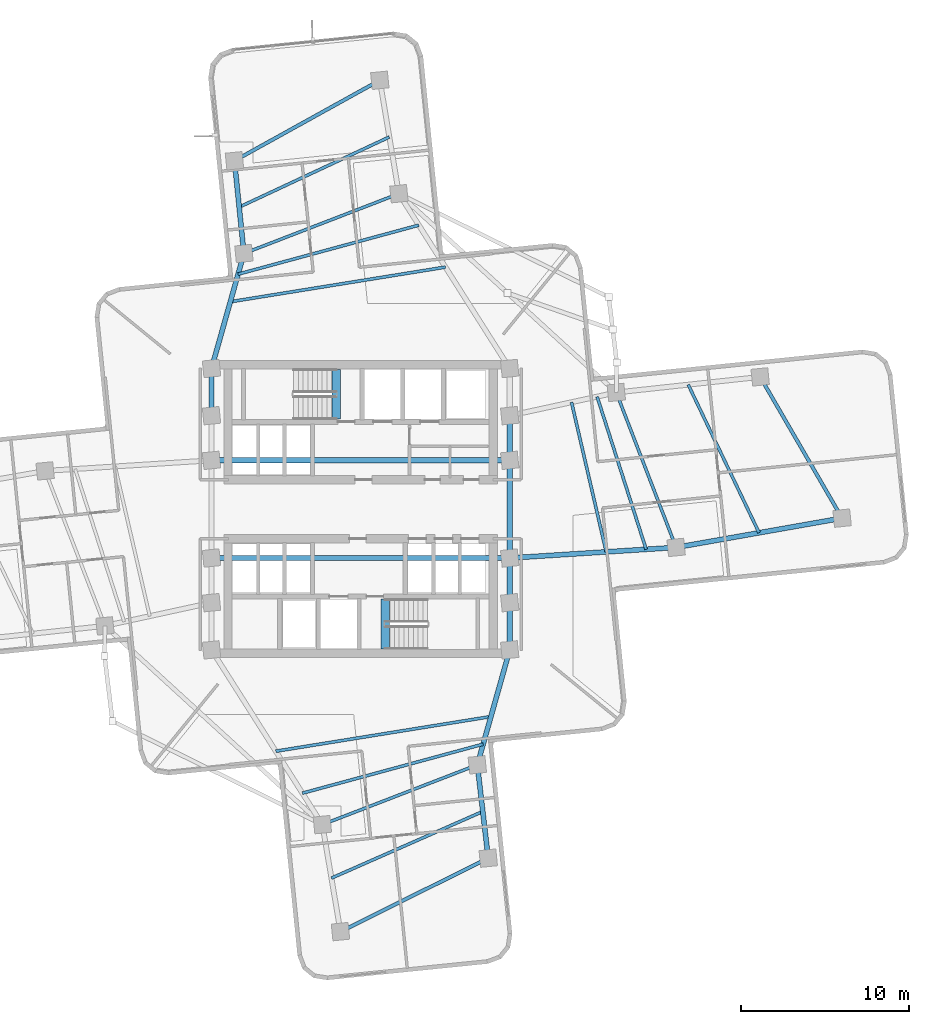
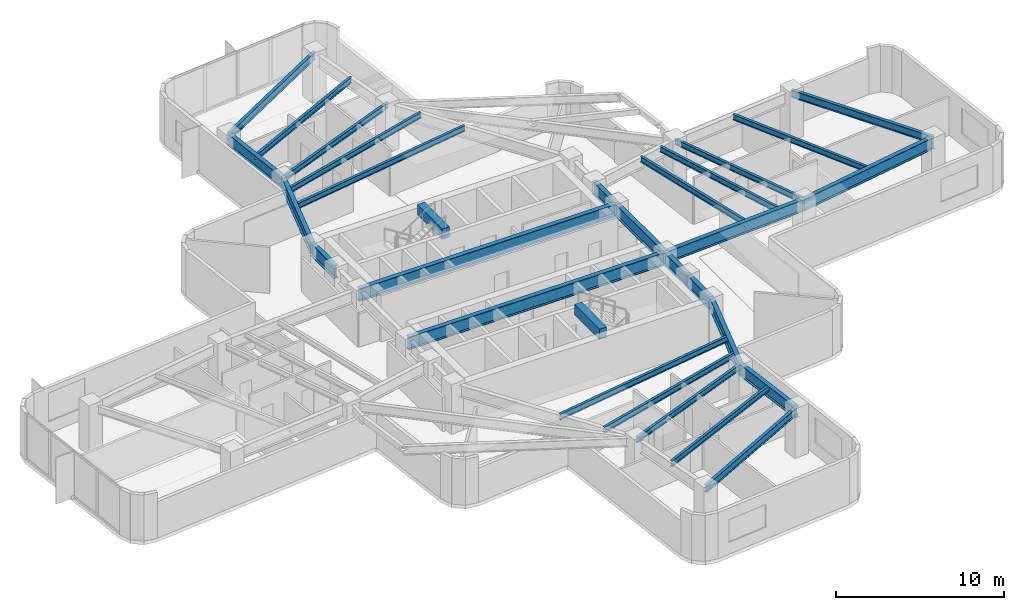
# One storey, part 3 of 12: 30 beams.
"""IFC4 building model written with IfcOpenShell, lengths in metres."""

from ifc_helpers import new_model, si_unit, direction, frame, origin, origin_2d, place, context, subcontext, project, spatial, rectangle, i_section, extrude, material, material_profile, profile_set, type_object, element, save


model = new_model("IFC4")

# Units and contexts
model_context = context("Model", 3, precision=1e-05, world=origin(), true_north=direction((0.0, 1.0)))
body_context = subcontext(model_context, "Body", "Model", "MODEL_VIEW")
ifc_project = project(units=[si_unit("LENGTHUNIT", "METRE"), si_unit("AREAUNIT", "SQUARE_METRE"), si_unit("VOLUMEUNIT", "CUBIC_METRE"), si_unit("PLANEANGLEUNIT", "RADIAN"), si_unit("MASSUNIT", "GRAM", prefix="KILO")], contexts=[model_context])

# Site, building, storey
site_placement = place(None, origin())
site = spatial("IfcSite", under=ifc_project, at=site_placement, CompositionType="ELEMENT")
building_placement = place(site_placement, origin())
building = spatial("IfcBuilding", under=site, at=building_placement, Name="Solmarez Civic Tower", CompositionType="ELEMENT")
storey_placement = place(building_placement, frame((0.0, 0.0, 74.8798828125)))
storey = spatial("IfcBuildingStorey", under=building, at=storey_placement, Name="L19", CompositionType="ELEMENT", Elevation=74.8798828125)

# Beams
ifc_material_1 = material(Name="Steel S355", Category="steel")
ifc_material_profile_1 = material_profile(ifc_material_1, i_section(OverallWidth=0.178955078125, OverallDepth=0.409912109375, WebThickness=0.0087890625, FlangeThickness=0.014404296875, at=origin_2d()), Name="W16X45")
ifc_profile_set_1 = profile_set([ifc_material_profile_1], Name="Steel S355")
beam_type_1 = type_object("IfcBeamType", Name="BM-JS-W16X45", PredefinedType="JOIST", material=ifc_profile_set_1)
beam_1_placement = place(storey_placement, frame((18.72412109375, -2.27099609375, 3.135009765625), z_axis=(-0.359984466214, 0.932958297077, 0.0), x_axis=(-0.932958297077, -0.359984466214, 0.0)))
element("IfcBeam", 1, at=beam_1_placement, inside=storey, type_object=beam_type_1, Name="L19 Secondary Floor Joist BM-L19-EA-T1", PredefinedType="JOIST", context=body_context, shape_type="SweptSolid", body=[
    extrude(i_section(OverallWidth=0.178955078125, OverallDepth=0.409912109375, WebThickness=0.0087890625, FlangeThickness=0.014404296875, at=origin_2d()), origin(), (0.0, 0.0, 1.0), 9.85888671875),
])
beam_2_placement = place(storey_placement, frame((23.64990234375, -1.402099609375, 3.135009765625), z_axis=(-0.431491843414, 0.902116837814, 0.0), x_axis=(-0.902116837814, -0.431491843414, 0.0)))
element("IfcBeam", 2, at=beam_2_placement, inside=storey, type_object=beam_type_1, Name="L19 Secondary Floor Joist JS-L19-EA-M2", PredefinedType="JOIST", context=body_context, shape_type="SweptSolid", body=[
    extrude(i_section(OverallWidth=0.178955078125, OverallDepth=0.409912109375, WebThickness=0.0087890625, FlangeThickness=0.014404296875, at=origin_2d()), origin(), (0.0, 0.0, 1.0), 9.744873046875),
])
beam_3_placement = place(storey_placement, frame((14.576904296875, -2.534912109375, 3.135009765625), z_axis=(-0.225762717226, 0.974182321494, 0.0), x_axis=(-0.974182321494, -0.225762717226, 0.0)))
element("IfcBeam", 3, at=beam_3_placement, inside=storey, type_object=beam_type_1, Name="L19 Secondary Floor Joist JS-L19-EA-M11", PredefinedType="JOIST", context=body_context, shape_type="SweptSolid", body=[
    extrude(i_section(OverallWidth=0.178955078125, OverallDepth=0.409912109375, WebThickness=0.0087890625, FlangeThickness=0.014404296875, at=origin_2d()), origin(), (0.0, 0.0, 1.0), 9.119384765625),
])
beam_4_placement = place(storey_placement, frame((16.947021484375, -2.384033203125, 3.135009765625), z_axis=(-0.305705295997, 0.952126184914, 0.0), x_axis=(-0.952126184914, -0.305705295997, 0.0)))
element("IfcBeam", 4, at=beam_4_placement, inside=storey, type_object=beam_type_1, Name="L19 Secondary Floor Joist JS-L19-EA-M12", PredefinedType="JOIST", context=body_context, shape_type="SweptSolid", body=[
    extrude(i_section(OverallWidth=0.178955078125, OverallDepth=0.409912109375, WebThickness=0.0087890625, FlangeThickness=0.014404296875, at=origin_2d()), origin(), (0.0, 0.0, 1.0), 9.518798828125),
])
beam_5_placement = place(storey_placement, frame((2.27099609375, 18.72412109375, 3.135009765625), z_axis=(-0.932958297077, -0.359984466214, 0.0), x_axis=(0.359984466214, -0.932958297077, 0.0)))
element("IfcBeam", 5, at=beam_5_placement, inside=storey, type_object=beam_type_1, Name="L19 Secondary Floor Joist BM-L19-NA-T1", PredefinedType="JOIST", context=body_context, shape_type="SweptSolid", body=[
    extrude(i_section(OverallWidth=0.178955078125, OverallDepth=0.409912109375, WebThickness=0.0087890625, FlangeThickness=0.014404296875, at=origin_2d()), origin(), (0.0, 0.0, 1.0), 9.85888671875),
])
beam_6_placement = place(storey_placement, frame((1.705078125, 22.090087890625, 3.135009765625), z_axis=(-0.906041066986, -0.423189774138, 0.0), x_axis=(0.423189774138, -0.906041066986, 0.0)))
element("IfcBeam", 6, at=beam_6_placement, inside=storey, type_object=beam_type_1, Name="L19 Secondary Floor Joist JS-L19-NA-M2", PredefinedType="JOIST", context=body_context, shape_type="SweptSolid", body=[
    extrude(i_section(OverallWidth=0.178955078125, OverallDepth=0.409912109375, WebThickness=0.0087890625, FlangeThickness=0.014404296875, at=origin_2d()), origin(), (0.0, 0.0, 1.0), 9.83740234375),
])
beam_7_placement = place(storey_placement, frame((5.033935546875, 14.366943359375, 3.135009765625), z_axis=(-0.987261309887, -0.159107215423, 0.0), x_axis=(0.159107215423, -0.987261309887, 0.0)))
element("IfcBeam", 7, at=beam_7_placement, inside=storey, type_object=beam_type_1, Name="L19 Secondary Floor Joist JS-L19-NA-M11", PredefinedType="JOIST", context=body_context, shape_type="SweptSolid", body=[
    extrude(i_section(OverallWidth=0.178955078125, OverallDepth=0.409912109375, WebThickness=0.0087890625, FlangeThickness=0.014404296875, at=origin_2d()), origin(), (0.0, 0.0, 1.0), 12.933837890625),
])
beam_8_placement = place(storey_placement, frame((3.455078125, 16.85693359375, 3.135009765625), z_axis=(-0.965126314795, -0.261784637614, 0.0), x_axis=(0.261784637614, -0.965126314795, 0.0)))
element("IfcBeam", 8, at=beam_8_placement, inside=storey, type_object=beam_type_1, Name="L19 Secondary Floor Joist JS-L19-NA-M12", PredefinedType="JOIST", context=body_context, shape_type="SweptSolid", body=[
    extrude(i_section(OverallWidth=0.178955078125, OverallDepth=0.409912109375, WebThickness=0.0087890625, FlangeThickness=0.014404296875, at=origin_2d()), origin(), (0.0, 0.0, 1.0), 11.11572265625),
])
beam_9_placement = place(storey_placement, frame((-2.27099609375, -18.72412109375, 3.135009765625), z_axis=(0.932958297077, 0.359984466214, 0.0), x_axis=(-0.359984466214, 0.932958297077, 0.0)))
element("IfcBeam", 9, at=beam_9_placement, inside=storey, type_object=beam_type_1, Name="L19 Secondary Floor Joist BM-L19-SA-T1", PredefinedType="JOIST", context=body_context, shape_type="SweptSolid", body=[
    extrude(i_section(OverallWidth=0.178955078125, OverallDepth=0.409912109375, WebThickness=0.0087890625, FlangeThickness=0.014404296875, at=origin_2d()), origin(), (0.0, 0.0, 1.0), 9.85888671875),
])
beam_10_placement = place(storey_placement, frame((-1.73291015625, -21.89892578125, 3.135009765625), z_axis=(0.915226616427, 0.402939499905, 0.0), x_axis=(-0.402939499905, 0.915226616427, 0.0)))
element("IfcBeam", 10, at=beam_10_placement, inside=storey, type_object=beam_type_1, Name="L19 Secondary Floor Joist JS-L19-SA-M2", PredefinedType="JOIST", context=body_context, shape_type="SweptSolid", body=[
    extrude(i_section(OverallWidth=0.178955078125, OverallDepth=0.409912109375, WebThickness=0.0087890625, FlangeThickness=0.014404296875, at=origin_2d()), origin(), (0.0, 0.0, 1.0), 9.81494140625),
])
beam_11_placement = place(storey_placement, frame((-5.033935546875, -14.366943359375, 3.135009765625), z_axis=(0.987261309887, 0.159107215423, 0.0), x_axis=(-0.159107215423, 0.987261309887, 0.0)))
element("IfcBeam", 11, at=beam_11_placement, inside=storey, type_object=beam_type_1, Name="L19 Secondary Floor Joist JS-L19-SA-M11", PredefinedType="JOIST", context=body_context, shape_type="SweptSolid", body=[
    extrude(i_section(OverallWidth=0.178955078125, OverallDepth=0.409912109375, WebThickness=0.0087890625, FlangeThickness=0.014404296875, at=origin_2d()), origin(), (0.0, 0.0, 1.0), 12.933837890625),
])
beam_12_placement = place(storey_placement, frame((-3.455078125, -16.85693359375, 3.135009765625), z_axis=(0.965126314795, 0.261784637614, 0.0), x_axis=(-0.261784637614, 0.965126314795, 0.0)))
element("IfcBeam", 12, at=beam_12_placement, inside=storey, type_object=beam_type_1, Name="L19 Secondary Floor Joist JS-L19-SA-M12", PredefinedType="JOIST", context=body_context, shape_type="SweptSolid", body=[
    extrude(i_section(OverallWidth=0.178955078125, OverallDepth=0.409912109375, WebThickness=0.0087890625, FlangeThickness=0.014404296875, at=origin_2d()), origin(), (0.0, 0.0, 1.0), 11.11572265625),
])
ifc_material_2 = material(Name="Concrete C50/60", Category="concrete")
ifc_material_profile_2 = material_profile(ifc_material_2, rectangle(XDim=0.5, YDim=0.75, at=origin_2d()), Name="RC500X750")
ifc_profile_set_2 = profile_set([ifc_material_profile_2], Name="Concrete C50/60")
beam_type_2 = type_object("IfcBeamType", Name="BM-PR-RC500X750", PredefinedType="BEAM", material=ifc_profile_set_2)
for number, where, z_axis, x_axis, name in (
    (13, (-1.449951171875, 5.340087890625, 3.233154296875), (0.0, 1.0, 0.0), (-1.0, 0.0, 0.0), "L19 North Stair Threshold Beam"),
    (14, (1.449951171875, -8.300048828125, 3.233154296875), (0.0, 1.0, 0.0), (-1.0, 0.0, 0.0), "L19 South Stair Threshold Beam"),
):
    element("IfcBeam", number, at=place(storey_placement, frame(where, z_axis=z_axis, x_axis=x_axis)), inside=storey, type_object=beam_type_2, Name=name, PredefinedType="BEAM", context=body_context, shape_type="SweptSolid", body=[
        extrude(rectangle(XDim=0.5, YDim=0.75, at=origin_2d()), origin(), (0.0, 0.0, 1.0), 2.9599609375),
    ])
ifc_material_profile_3 = material_profile(ifc_material_1, i_section(OverallWidth=0.2919921875, OverallDepth=0.845947265625, WebThickness=0.015380859375, FlangeThickness=0.0244140625, at=origin_2d()), Name="W33X141")
ifc_profile_set_3 = profile_set([ifc_material_profile_3], Name="Steel S355")
beam_type_3 = type_object("IfcBeamType", Name="BM-PR-W33X141", PredefinedType="BEAM", material=ifc_profile_set_3)
beam_13_placement = place(storey_placement, frame((8.85009765625, -2.89990234375, 2.917236328125), z_axis=(0.997977751208, 0.063564204508, 0.0), x_axis=(-0.063564204508, 0.997977751208, 0.0)))
element("IfcBeam", 15, at=beam_13_placement, inside=storey, type_object=beam_type_3, Name="L19 Primary Floor Beam BM-L19-EA-R1A", PredefinedType="BEAM", context=body_context, shape_type="SweptSolid", body=[
    extrude(i_section(OverallWidth=0.2919921875, OverallDepth=0.845947265625, WebThickness=0.015380859375, FlangeThickness=0.0244140625, at=origin_2d()), origin(), (0.0, 0.0, 1.0), 9.89404296875),
])
beam_14_placement = place(storey_placement, frame((18.72412109375, -2.27099609375, 2.917236328125), z_axis=(0.984792402105, 0.173735214497, 0.0), x_axis=(-0.173735214497, 0.984792402105, 0.0)))
element("IfcBeam", 16, at=beam_14_placement, inside=storey, type_object=beam_type_3, Name="L19 Primary Floor Beam BM-L19-EA-R2A", PredefinedType="BEAM", context=body_context, shape_type="SweptSolid", body=[
    extrude(i_section(OverallWidth=0.2919921875, OverallDepth=0.845947265625, WebThickness=0.015380859375, FlangeThickness=0.0244140625, at=origin_2d()), origin(), (0.0, 0.0, 1.0), 10.00390625),
])
beam_15_placement = place(storey_placement, frame((-8.85009765625, 8.35009765625, 2.917236328125), z_axis=(0.271213183726, 0.962519303169, 0.0), x_axis=(-0.962519303169, 0.271213183726, 0.0)))
element("IfcBeam", 17, at=beam_15_placement, inside=storey, type_object=beam_type_3, Name="L19 Primary Floor Beam BM-L19-NA-R1B", PredefinedType="BEAM", context=body_context, shape_type="SweptSolid", body=[
    extrude(i_section(OverallWidth=0.2919921875, OverallDepth=0.845947265625, WebThickness=0.015380859375, FlangeThickness=0.0244140625, at=origin_2d()), origin(), (0.0, 0.0, 1.0), 7.0908203125),
])
beam_16_placement = place(storey_placement, frame((-6.927001953125, 15.175048828125, 2.917236328125), z_axis=(-0.101583208843, 0.994827046115, 0.0), x_axis=(-0.994827046115, -0.101583208843, 0.0)))
element("IfcBeam", 18, at=beam_16_placement, inside=storey, type_object=beam_type_3, Name="L19 Primary Floor Beam BM-L19-NA-R2B", PredefinedType="BEAM", context=body_context, shape_type="SweptSolid", body=[
    extrude(i_section(OverallWidth=0.2919921875, OverallDepth=0.845947265625, WebThickness=0.015380859375, FlangeThickness=0.0244140625, at=origin_2d()), origin(), (0.0, 0.0, 1.0), 5.532470703125),
])
beam_17_placement = place(storey_placement, frame((8.85009765625, -8.35009765625, 2.917236328125), z_axis=(-0.271213183726, -0.962519303169, 0.0), x_axis=(0.962519303169, -0.271213183726, 0.0)))
element("IfcBeam", 19, at=beam_17_placement, inside=storey, type_object=beam_type_3, Name="L19 Primary Floor Beam BM-L19-SA-R1B", PredefinedType="BEAM", context=body_context, shape_type="SweptSolid", body=[
    extrude(i_section(OverallWidth=0.2919921875, OverallDepth=0.845947265625, WebThickness=0.015380859375, FlangeThickness=0.0244140625, at=origin_2d()), origin(), (0.0, 0.0, 1.0), 7.0908203125),
])
beam_18_placement = place(storey_placement, frame((6.927001953125, -15.175048828125, 2.917236328125), z_axis=(0.11601314993, -0.993247677593, 0.0), x_axis=(0.993247677593, 0.11601314993, 0.0)))
element("IfcBeam", 20, at=beam_18_placement, inside=storey, type_object=beam_type_3, Name="L19 Primary Floor Beam BM-L19-SA-R2B", PredefinedType="BEAM", context=body_context, shape_type="SweptSolid", body=[
    extrude(i_section(OverallWidth=0.2919921875, OverallDepth=0.845947265625, WebThickness=0.015380859375, FlangeThickness=0.0244140625, at=origin_2d()), origin(), (0.0, 0.0, 1.0), 5.57666015625),
])
ifc_material_profile_4 = material_profile(ifc_material_1, i_section(OverallWidth=0.306884765625, OverallDepth=0.927001953125, WebThickness=0.019287109375, FlangeThickness=0.031982421875, at=origin_2d()), Name="W36X194")
ifc_profile_set_4 = profile_set([ifc_material_profile_4], Name="Steel S355")
beam_type_4 = type_object("IfcBeamType", Name="BM-PR-W36X194", PredefinedType="BEAM", material=ifc_profile_set_4)
for number, where, z_axis, x_axis, name in (
    (21, (-8.85009765625, 5.550048828125, 2.877197265625), (0.0, 1.0, 0.0), (-1.0, 0.0, 0.0), "L19 Primary Floor Beam BM-L19-HC4-HC9"),
    (22, (8.85009765625, -8.35009765625, 2.877197265625), (0.0, 1.0, 0.0), (-1.0, 0.0, 0.0), "L19 Primary Floor Beam BM-L19-HC10-HC5"),
):
    element("IfcBeam", number, at=place(storey_placement, frame(where, z_axis=z_axis, x_axis=x_axis)), inside=storey, type_object=beam_type_4, Name=name, PredefinedType="BEAM", context=body_context, shape_type="SweptSolid", body=[
        extrude(i_section(OverallWidth=0.306884765625, OverallDepth=0.927001953125, WebThickness=0.019287109375, FlangeThickness=0.031982421875, at=origin_2d()), origin(), (0.0, 0.0, 1.0), 2.800048828125),
    ])
beam_19_placement = place(storey_placement, frame((8.85009765625, -5.550048828125, 2.877197265625), z_axis=(0.0, 1.0, 0.0), x_axis=(-1.0, 0.0, 0.0)))
element("IfcBeam", 23, at=beam_19_placement, inside=storey, type_object=beam_type_4, Name="L19 Primary Floor Beam BM-L19-HC5-HC6", PredefinedType="BEAM", context=body_context, shape_type="SweptSolid", body=[
    extrude(i_section(OverallWidth=0.306884765625, OverallDepth=0.927001953125, WebThickness=0.019287109375, FlangeThickness=0.031982421875, at=origin_2d()), origin(), (0.0, 0.0, 1.0), 2.650146484375),
])
beam_20_placement = place(storey_placement, frame((8.85009765625, -2.89990234375, 2.877197265625), z_axis=(0.0, 1.0, 0.0), x_axis=(-1.0, 0.0, 0.0)))
element("IfcBeam", 24, at=beam_20_placement, inside=storey, type_object=beam_type_4, Name="L19 Primary Floor Beam BM-L19-HC6-HC7", PredefinedType="BEAM", context=body_context, shape_type="SweptSolid", body=[
    extrude(i_section(OverallWidth=0.306884765625, OverallDepth=0.927001953125, WebThickness=0.019287109375, FlangeThickness=0.031982421875, at=origin_2d()), origin(), (0.0, 0.0, 1.0), 5.7998046875),
])
beam_21_placement = place(storey_placement, frame((8.85009765625, 2.89990234375, 2.877197265625), z_axis=(0.0, 1.0, 0.0), x_axis=(-1.0, 0.0, 0.0)))
element("IfcBeam", 25, at=beam_21_placement, inside=storey, type_object=beam_type_4, Name="L19 Primary Floor Beam BM-L19-HC7-HC8", PredefinedType="BEAM", context=body_context, shape_type="SweptSolid", body=[
    extrude(i_section(OverallWidth=0.306884765625, OverallDepth=0.927001953125, WebThickness=0.019287109375, FlangeThickness=0.031982421875, at=origin_2d()), origin(), (0.0, 0.0, 1.0), 2.650146484375),
])
for number, where, z_axis, x_axis, name in (
    (26, (-8.85009765625, -2.89990234375, 2.877197265625), (1.0, 0.0, 0.0), (0.0, 1.0, 0.0), "L19 Primary Floor Beam BM-L19-HC2-HC6"),
    (27, (-8.85009765625, 2.89990234375, 2.877197265625), (1.0, 0.0, 0.0), (0.0, 1.0, 0.0), "L19 Primary Floor Beam BM-L19-HC3-HC7"),
):
    element("IfcBeam", number, at=place(storey_placement, frame(where, z_axis=z_axis, x_axis=x_axis)), inside=storey, type_object=beam_type_4, Name=name, PredefinedType="BEAM", context=body_context, shape_type="SweptSolid", body=[
        extrude(i_section(OverallWidth=0.306884765625, OverallDepth=0.927001953125, WebThickness=0.019287109375, FlangeThickness=0.031982421875, at=origin_2d()), origin(), (0.0, 0.0, 1.0), 17.7001953125),
    ])
ifc_material_profile_5 = material_profile(ifc_material_1, i_section(OverallWidth=0.2109375, OverallDepth=0.5390625, WebThickness=0.01171875, FlangeThickness=0.018798828125, at=origin_2d()), Name="W21X73")
ifc_profile_set_5 = profile_set([ifc_material_profile_5], Name="Steel S355")
beam_type_5 = type_object("IfcBeamType", Name="BM-SP-W21X73", PredefinedType="SPANDREL", material=ifc_profile_set_5)
beam_22_placement = place(storey_placement, frame((28.575927734375, -0.532958984375, 3.071044921875), z_axis=(-0.501571424933, 0.865116238254, 0.0), x_axis=(-0.865116238254, -0.501571424933, 0.0)))
element("IfcBeam", 28, at=beam_22_placement, inside=storey, type_object=beam_type_5, Name="L19 Perimeter Spandrel Beam BM-L19-EA-T2", PredefinedType="SPANDREL", context=body_context, shape_type="SweptSolid", body=[
    extrude(i_section(OverallWidth=0.2109375, OverallDepth=0.5390625, WebThickness=0.01171875, FlangeThickness=0.018798828125, at=origin_2d()), origin(), (0.0, 0.0, 1.0), 9.691162109375),
])
beam_23_placement = place(storey_placement, frame((1.138916015625, 25.45703125, 3.071044921875), z_axis=(-0.874811531682, -0.484463398035, 0.0), x_axis=(0.484463398035, -0.874811531682, 0.0)))
element("IfcBeam", 29, at=beam_23_placement, inside=storey, type_object=beam_type_5, Name="L19 Perimeter Spandrel Beam BM-L19-NA-T2", PredefinedType="SPANDREL", context=body_context, shape_type="SweptSolid", body=[
    extrude(i_section(OverallWidth=0.2109375, OverallDepth=0.5390625, WebThickness=0.01171875, FlangeThickness=0.018798828125, at=origin_2d()), origin(), (0.0, 0.0, 1.0), 9.862548828125),
])
beam_24_placement = place(storey_placement, frame((-1.195068359375, -25.073974609375, 3.071044921875), z_axis=(0.895432090654, 0.445198125589, 0.0), x_axis=(-0.445198125589, 0.895432090654, 0.0)))
element("IfcBeam", 30, at=beam_24_placement, inside=storey, type_object=beam_type_5, Name="L19 Perimeter Spandrel Beam BM-L19-SA-T2", PredefinedType="SPANDREL", context=body_context, shape_type="SweptSolid", body=[
    extrude(i_section(OverallWidth=0.2109375, OverallDepth=0.5390625, WebThickness=0.01171875, FlangeThickness=0.018798828125, at=origin_2d()), origin(), (0.0, 0.0, 1.0), 9.79296875),
])

save(model, "model.ifc")
